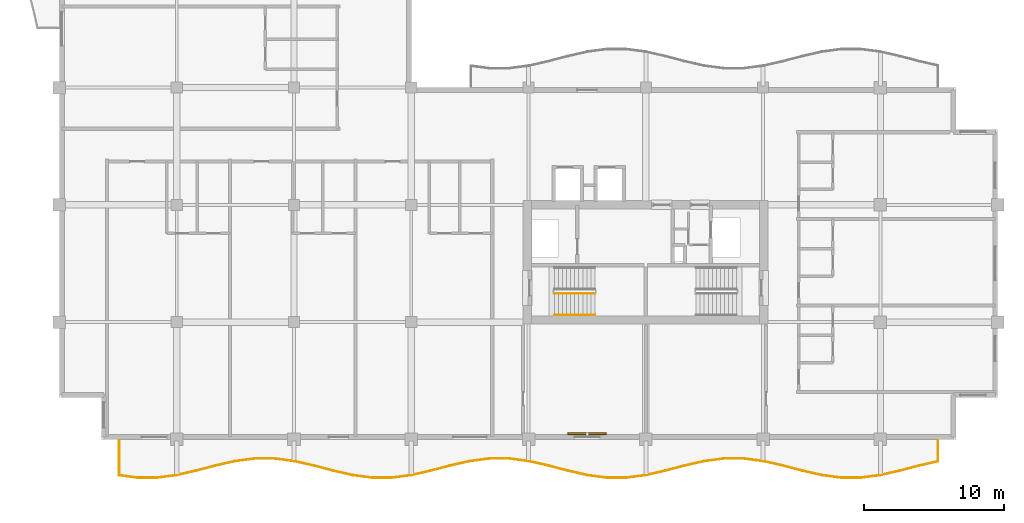
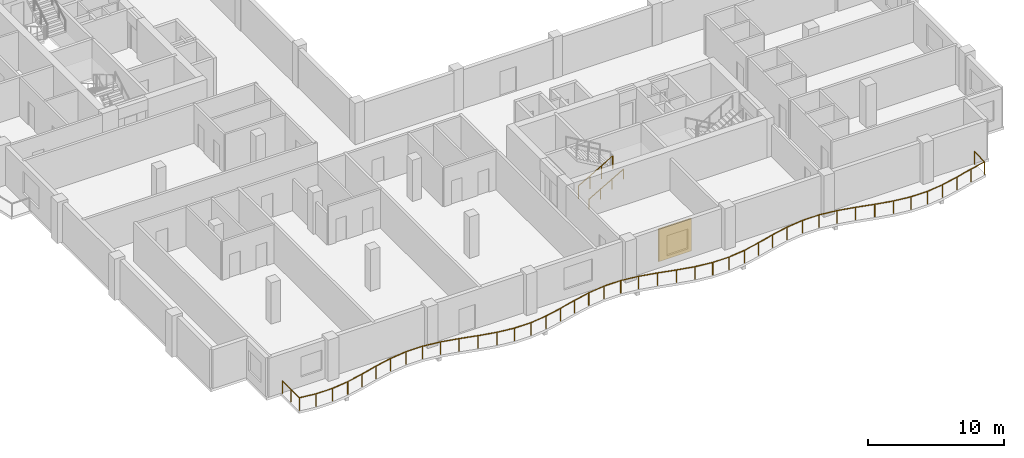
# One storey, part 10 of 12: 3 railings, 1 shading device.
"""IFC4 building model written with IfcOpenShell, lengths in metres."""

import ifcopenshell
import ifcopenshell.guid

model = None  # the IFC model being written
_history = None  # IfcOwnerHistory: only IFC2X3 demands one
_inside = {}  # id of a spatial element -> (the spatial element, [elements in it])
_under = {}  # id of a project, library or spatial element -> (it, [spatial elements below it])
_declared = {}  # id of a project -> (the project, [libraries it declares])
_typed = {}  # id of a type object -> (the type object, [elements of that type])
_made_of = {}  # id of a material, layer set ... -> (it, [elements and type objects made of it])


def new_model(schema):
    """Start an empty IFC model of exactly this schema.

    Asked for "IFC4X3", IfcOpenShell would pick the latest addendum, in which some entities
    have other attributes; the version numbers below select the first issue.
    IFC2X3 requires an IfcOwnerHistory on every rooted entity: one is made here for all.
    """
    global model, _history
    if schema == "IFC4X3":
        model = ifcopenshell.file(schema_version=(4, 3, 0, 0))
    else:
        model = ifcopenshell.file(schema=schema)
    _inside.clear()
    _under.clear()
    _declared.clear()
    _typed.clear()
    _made_of.clear()
    _history = None
    if model.schema == "IFC2X3":
        org = make("IfcOrganization", Name="unknown")
        user = make(
            "IfcPersonAndOrganization",
            ThePerson=make("IfcPerson", FamilyName="unknown"),
            TheOrganization=org,
        )
        app = make(
            "IfcApplication",
            ApplicationDeveloper=org,
            Version="unknown",
            ApplicationFullName="unknown",
            ApplicationIdentifier="unknown",
        )
        _history = make(
            "IfcOwnerHistory",
            OwningUser=user,
            OwningApplication=app,
            ChangeAction="ADDED",
            CreationDate=0,
        )
    return model


def make(cls, **values):
    """One entity of the class cls with the attributes given. An attribute that is None is left unset."""
    return model.create_entity(
        cls, **{name: value for name, value in values.items() if value is not None}
    )


def rooted(cls, **values):
    """An entity with a GlobalId (a new one), such as an element, a storey or a relation."""
    return make(cls, GlobalId=ifcopenshell.guid.new(), OwnerHistory=_history, **values)


def si_unit(unit_type, name, prefix=None):
    """IfcSIUnit, for example si_unit("LENGTHUNIT", "METRE", prefix="MILLI")."""
    return make("IfcSIUnit", UnitType=unit_type, Prefix=prefix, Name=name)


def assignment(units):
    """IfcUnitAssignment: the units of a project."""
    return None if units is None else make("IfcUnitAssignment", Units=units)


def point(xyz):
    """IfcCartesianPoint."""
    return None if xyz is None else make("IfcCartesianPoint", Coordinates=xyz)


def direction(xyz):
    """IfcDirection."""
    return None if xyz is None else make("IfcDirection", DirectionRatios=xyz)


def frame(location, z_axis=None, x_axis=None):
    """IfcAxis2Placement3D, a coordinate frame: its origin and axes. An axis left out is left unset."""
    return make(
        "IfcAxis2Placement3D",
        Location=point(location),
        Axis=direction(z_axis),
        RefDirection=direction(x_axis),
    )


def frame_2d(location, x_axis=None):
    """IfcAxis2Placement2D, a coordinate frame in the plane: its origin and x axis."""
    return make(
        "IfcAxis2Placement2D", Location=point(location), RefDirection=direction(x_axis)
    )


def origin():
    """The frame at (0, 0, 0) with its axes left unset."""
    return frame((0.0, 0.0, 0.0))


def origin_2d():
    """The frame at (0, 0) in the plane with its x axis left unset."""
    return frame_2d((0.0, 0.0))


def place(relative_to, where):
    """IfcLocalPlacement: puts the frame where relative to a parent placement (None: the world)."""
    return make(
        "IfcLocalPlacement", PlacementRelTo=relative_to, RelativePlacement=where
    )


def context(
    kind, dimensions, precision=None, world=None, true_north=None, identifier=None
):
    """IfcGeometricRepresentationContext, for example the 3D "Model" context."""
    return make(
        "IfcGeometricRepresentationContext",
        ContextIdentifier=identifier,
        ContextType=kind,
        CoordinateSpaceDimension=dimensions,
        Precision=precision,
        WorldCoordinateSystem=world,
        TrueNorth=true_north,
    )


def subcontext(parent, identifier, kind, view, scale=None):
    """IfcGeometricRepresentationSubContext, for example "Body" below "Model"."""
    return make(
        "IfcGeometricRepresentationSubContext",
        ContextIdentifier=identifier,
        ContextType=kind,
        ParentContext=parent,
        TargetScale=scale,
        TargetView=view,
    )


def project(units=None, contexts=None):
    """IfcProject with its units and contexts."""
    return rooted(
        "IfcProject",
        Name="project",
        RepresentationContexts=contexts,
        UnitsInContext=assignment(units),
    )


def spatial(cls, under=None, at=None, **own):
    """A site, building, storey or space (cls), placed at a placement, below another one or the project."""
    s = rooted(cls, ObjectPlacement=at, **own)
    if under is not None:
        _under.setdefault(under.id(), (under, []))[1].append(s)
    return s


def profile(cls, at=None, kind="AREA", **sizes):
    """A parametric profile (cls). Its sizes go by their IFC names, for example OverallWidth=200.0."""
    return make(cls, ProfileType=kind, Position=at, **sizes)


def rectangle(**sizes):
    """IfcRectangleProfileDef."""
    return profile("IfcRectangleProfileDef", **sizes)


def circle(**sizes):
    """IfcCircleProfileDef."""
    return profile("IfcCircleProfileDef", **sizes)


def extrude(swept, where, along, depth):
    """IfcExtrudedAreaSolid: the profile swept, set in the frame where, extruded along a direction by depth."""
    return make(
        "IfcExtrudedAreaSolid",
        SweptArea=swept,
        Position=where,
        ExtrudedDirection=direction(along),
        Depth=depth,
    )


def shape(context_of_items, identifier, shape_type, items):
    """IfcShapeRepresentation: the items that make up one representation, for example the "Body"."""
    return make(
        "IfcShapeRepresentation",
        ContextOfItems=context_of_items,
        RepresentationIdentifier=identifier,
        RepresentationType=shape_type,
        Items=items,
    )


def material(Name=None, Category=None):
    """IfcMaterial."""
    return make("IfcMaterial", Name=Name, Category=Category)


def layer(
    of_material, thickness, ventilated=None, Name=None, Category=None, Priority=None
):
    """IfcMaterialLayer: one layer of a wall or slab, of a material (None: an air gap)."""
    return make(
        "IfcMaterialLayer",
        Material=of_material,
        LayerThickness=thickness,
        IsVentilated=ventilated,
        Name=Name,
        Category=Category,
        Priority=Priority,
    )


def layer_set(layers, Name=None):
    """IfcMaterialLayerSet."""
    return make("IfcMaterialLayerSet", MaterialLayers=layers, LayerSetName=Name)


def made_of(thing, what):
    """Note that an element or type object is made of a material, layer set ...; save() writes the relation."""
    if what is not None:
        _made_of.setdefault(what.id(), (what, []))[1].append(thing)
    return thing


def type_object(cls, material=None, **own):
    """A type object (cls), such as IfcWallType, which elements share."""
    return made_of(rooted(cls, **own), material)


def element(
    cls,
    number,
    at=None,
    inside=None,
    cuts=None,
    type_object=None,
    material=None,
    context=None,
    identifier="Body",
    shape_type=None,
    held_by="IfcProductDefinitionShape",
    body=None,
    shapes=None,
    **own,
):
    """One element of the class cls, such as IfcWall. Its Tag is "e" and its number.

    at: its placement. inside: the storey or other place that contains it. cuts: it is an
    opening in that element (IfcRelVoidsElement). A single representation is given by context,
    identifier, shape_type and body (its items); several are given by shapes. held_by: the class
    of the entity that holds the representations. save() writes the other relations.
    """
    e = rooted(cls, Tag="e%d" % number, ObjectPlacement=at, **own)
    if body is not None:
        shapes = [shape(context, identifier, shape_type, body)]
    if shapes is not None:
        e.Representation = make(held_by, Representations=shapes)
    if inside is not None:
        _inside.setdefault(inside.id(), (inside, []))[1].append(e)
    if cuts is not None:
        rooted(
            "IfcRelVoidsElement", RelatingBuildingElement=cuts, RelatedOpeningElement=e
        )
    if type_object is not None:
        _typed.setdefault(type_object.id(), (type_object, []))[1].append(e)
    return made_of(e, material)


def aggregate(whole, parts):
    """IfcRelAggregates: a whole, such as a stair, and the parts it consists of."""
    return rooted("IfcRelAggregates", RelatingObject=whole, RelatedObjects=parts)


def save(model, path):
    """Write the relations noted so far, then the file.

    IfcRelAggregates (storeys below a building ...), IfcRelContainedInSpatialStructure (elements
    in a storey), IfcRelDefinesByType, IfcRelAssociatesMaterial and IfcRelDeclares: one each for
    every whole, place, type object, material and project.
    """
    for whole, parts in _under.values():
        aggregate(whole, parts)
    for where, things in _inside.values():
        rooted(
            "IfcRelContainedInSpatialStructure",
            RelatedElements=things,
            RelatingStructure=where,
        )
    for kind, things in _typed.values():
        rooted("IfcRelDefinesByType", RelatedObjects=things, RelatingType=kind)
    for what, things in _made_of.values():
        rooted("IfcRelAssociatesMaterial", RelatedObjects=things, RelatingMaterial=what)
    for by, libraries in _declared.values():
        rooted("IfcRelDeclares", RelatingContext=by, RelatedDefinitions=libraries)
    model.write(path)


model = new_model("IFC4")

# Units and contexts
model_context = context("Model", 3, precision=1e-05, world=origin(), true_north=direction((0.0, 1.0)))
body_context = subcontext(model_context, "Body", "Model", "MODEL_VIEW")
ifc_project = project(units=[si_unit("LENGTHUNIT", "METRE"), si_unit("AREAUNIT", "SQUARE_METRE"), si_unit("VOLUMEUNIT", "CUBIC_METRE"), si_unit("PLANEANGLEUNIT", "RADIAN"), si_unit("MASSUNIT", "GRAM", prefix="KILO")], contexts=[model_context])

# Site, building, storey
site_placement = place(None, origin())
site = spatial("IfcSite", under=ifc_project, at=site_placement, CompositionType="ELEMENT")
building_placement = place(site_placement, origin())
building = spatial("IfcBuilding", under=site, at=building_placement, Name="Koriwani Terraces Tower", CompositionType="ELEMENT")
storey_placement = place(building_placement, frame((0.0, 0.0, 241.60009765625)))
storey = spatial("IfcBuildingStorey", under=building, at=storey_placement, Name="L59", CompositionType="ELEMENT", Elevation=241.60009765625)

# Railings
ifc_material_1 = material(Name="Steel ASTM A572 Grade 50", Category="steel")
railing_type_1 = type_object("IfcRailingType", Name="GUARD_BALUSTRADE_1150", PredefinedType="BALUSTRADE", material=ifc_material_1)
railing_1_placement = place(storey_placement, frame((12.679931640625, 8.320068359375, 0.0)))
element("IfcRailing", 1, at=railing_1_placement, inside=storey, type_object=railing_type_1, Name="L59 Balcony Perimeter Safety Balustrade (S)", PredefinedType="BALUSTRADE", context=body_context, shape_type="SweptSolid", body=[
    extrude(circle(Radius=0.02392578125, at=origin_2d()), frame((0.0, 0.0, 1.1259765625), z_axis=(0.0, -1.0, 0.0), x_axis=(1.0, 0.0, 0.0)), (0.0, 0.0, 1.0), 2.491943359375),
    extrude(circle(Radius=0.02392578125, at=origin_2d()), frame((0.0, -2.491943359375, 1.1259765625), z_axis=(0.991506441664, -0.130057587779, 0.0), x_axis=(0.130057587779, 0.991506441664, 0.0)), (0.0, 0.0, 1.0), 1.33642578125),
    extrude(circle(Radius=0.02392578125, at=origin_2d()), frame((1.3251953125, -2.665771484375, 1.1259765625), z_axis=(1.0, 0.0, 0.0), x_axis=(0.0, 1.0, 0.0)), (0.0, 0.0, 1.0), 1.3896484375),
    extrude(circle(Radius=0.02392578125, at=origin_2d()), frame((2.71484375, -2.665771484375, 1.1259765625), z_axis=(0.991493340479, 0.130157426935, 0.0), x_axis=(-0.130157426935, 0.991493340479, 0.0)), (0.0, 0.0, 1.0), 1.403076171875),
    extrude(circle(Radius=0.02392578125, at=origin_2d()), frame((4.10595703125, -2.483154296875, 1.1259765625), z_axis=(0.975156320387, 0.221517834068, 0.0), x_axis=(-0.221517834068, 0.975156320387, 0.0)), (0.0, 0.0, 1.0), 1.4306640625),
    extrude(circle(Radius=0.02392578125, at=origin_2d()), frame((5.5009765625, -2.166259765625, 1.1259765625), z_axis=(0.967207664387, 0.253986877518, 0.0), x_axis=(-0.253986877518, 0.967207664387, 0.0)), (0.0, 0.0, 1.0), 1.447509765625),
    extrude(circle(Radius=0.02392578125, at=origin_2d()), frame((6.901123046875, -1.798583984375, 1.1259765625), z_axis=(0.975122866469, 0.221665052023, 0.0), x_axis=(-0.221665052023, 0.975122866469, 0.0)), (0.0, 0.0, 1.0), 1.440673828125),
    extrude(circle(Radius=0.02392578125, at=origin_2d()), frame((8.305908203125, -1.479248046875, 1.1259765625), z_axis=(0.991528403605, 0.12989004906, 0.0), x_axis=(-0.12989004906, 0.991528403605, 0.0)), (0.0, 0.0, 1.0), 1.4208984375),
    extrude(circle(Radius=0.02392578125, at=origin_2d()), frame((9.71484375, -1.294677734375, 1.1259765625), z_axis=(1.0, 0.0, 0.0), x_axis=(0.0, 1.0, 0.0)), (0.0, 0.0, 1.0), 1.410400390625),
    extrude(circle(Radius=0.02392578125, at=origin_2d()), frame((11.125244140625, -1.294677734375, 1.1259765625), z_axis=(0.991528403605, -0.12989004906, 0.0), x_axis=(0.12989004906, 0.991528403605, 0.0)), (0.0, 0.0, 1.0), 1.4208984375),
    extrude(circle(Radius=0.02392578125, at=origin_2d()), frame((12.5341796875, -1.479248046875, 1.1259765625), z_axis=(0.975122866469, -0.221665052023, 0.0), x_axis=(0.221665052023, 0.975122866469, 0.0)), (0.0, 0.0, 1.0), 1.440673828125),
    extrude(circle(Radius=0.02392578125, at=origin_2d()), frame((13.93896484375, -1.798583984375, 1.1259765625), z_axis=(0.967207664387, -0.253986877518, 0.0), x_axis=(0.253986877518, 0.967207664387, 0.0)), (0.0, 0.0, 1.0), 1.447509765625),
    extrude(circle(Radius=0.02392578125, at=origin_2d()), frame((15.339111328125, -2.166259765625, 1.1259765625), z_axis=(0.975156320387, -0.221517834068, 0.0), x_axis=(0.221517834068, 0.975156320387, 0.0)), (0.0, 0.0, 1.0), 1.4306640625),
    extrude(circle(Radius=0.02392578125, at=origin_2d()), frame((16.734130859375, -2.483154296875, 1.1259765625), z_axis=(0.991493340479, -0.130157426935, 0.0), x_axis=(0.130157426935, 0.991493340479, 0.0)), (0.0, 0.0, 1.0), 1.403076171875),
    extrude(circle(Radius=0.02392578125, at=origin_2d()), frame((18.125244140625, -2.665771484375, 1.1259765625), z_axis=(1.0, 0.0, 0.0), x_axis=(0.0, 1.0, 0.0)), (0.0, 0.0, 1.0), 1.3896484375),
    extrude(circle(Radius=0.02392578125, at=origin_2d()), frame((19.514892578125, -2.665771484375, 1.1259765625), z_axis=(0.991493340479, 0.130157426935, 0.0), x_axis=(-0.130157426935, 0.991493340479, 0.0)), (0.0, 0.0, 1.0), 1.403076171875),
    extrude(circle(Radius=0.02392578125, at=origin_2d()), frame((20.906005859375, -2.483154296875, 1.1259765625), z_axis=(0.975156320387, 0.221517834068, 0.0), x_axis=(-0.221517834068, 0.975156320387, 0.0)), (0.0, 0.0, 1.0), 1.4306640625),
    extrude(circle(Radius=0.02392578125, at=origin_2d()), frame((22.301025390625, -2.166259765625, 1.1259765625), z_axis=(0.967207664387, 0.253986877518, 0.0), x_axis=(-0.253986877518, 0.967207664387, 0.0)), (0.0, 0.0, 1.0), 1.447509765625),
    extrude(circle(Radius=0.02392578125, at=origin_2d()), frame((23.701171875, -1.798583984375, 1.1259765625), z_axis=(0.975122866469, 0.221665052023, 0.0), x_axis=(-0.221665052023, 0.975122866469, 0.0)), (0.0, 0.0, 1.0), 1.440673828125),
    extrude(circle(Radius=0.02392578125, at=origin_2d()), frame((25.10595703125, -1.479248046875, 1.1259765625), z_axis=(0.991528403605, 0.12989004906, 0.0), x_axis=(-0.12989004906, 0.991528403605, 0.0)), (0.0, 0.0, 1.0), 1.4208984375),
    extrude(circle(Radius=0.02392578125, at=origin_2d()), frame((26.514892578125, -1.294677734375, 1.1259765625), z_axis=(1.0, 0.0, 0.0), x_axis=(0.0, 1.0, 0.0)), (0.0, 0.0, 1.0), 1.410400390625),
    extrude(circle(Radius=0.02392578125, at=origin_2d()), frame((27.92529296875, -1.294677734375, 1.1259765625), z_axis=(0.991528403605, -0.12989004906, 0.0), x_axis=(0.12989004906, 0.991528403605, 0.0)), (0.0, 0.0, 1.0), 1.4208984375),
    extrude(circle(Radius=0.02392578125, at=origin_2d()), frame((29.334228515625, -1.479248046875, 1.1259765625), z_axis=(0.975122866469, -0.221665052023, 0.0), x_axis=(0.221665052023, 0.975122866469, 0.0)), (0.0, 0.0, 1.0), 1.440673828125),
    extrude(circle(Radius=0.02392578125, at=origin_2d()), frame((30.739013671875, -1.798583984375, 1.1259765625), z_axis=(0.967207664387, -0.253986877518, 0.0), x_axis=(0.253986877518, 0.967207664387, 0.0)), (0.0, 0.0, 1.0), 1.447509765625),
    extrude(circle(Radius=0.02392578125, at=origin_2d()), frame((32.13916015625, -2.166259765625, 1.1259765625), z_axis=(0.975156320387, -0.221517834068, 0.0), x_axis=(0.221517834068, 0.975156320387, 0.0)), (0.0, 0.0, 1.0), 1.4306640625),
    extrude(circle(Radius=0.02392578125, at=origin_2d()), frame((33.5341796875, -2.483154296875, 1.1259765625), z_axis=(0.991493340479, -0.130157426935, 0.0), x_axis=(0.130157426935, 0.991493340479, 0.0)), (0.0, 0.0, 1.0), 1.403076171875),
    extrude(circle(Radius=0.02392578125, at=origin_2d()), frame((34.92529296875, -2.665771484375, 1.1259765625), z_axis=(1.0, 0.0, 0.0), x_axis=(0.0, 1.0, 0.0)), (0.0, 0.0, 1.0), 1.3896484375),
    extrude(circle(Radius=0.02392578125, at=origin_2d()), frame((36.31494140625, -2.665771484375, 1.1259765625), z_axis=(0.991493340479, 0.130157426935, 0.0), x_axis=(-0.130157426935, 0.991493340479, 0.0)), (0.0, 0.0, 1.0), 1.403076171875),
    extrude(circle(Radius=0.02392578125, at=origin_2d()), frame((37.7060546875, -2.483154296875, 1.1259765625), z_axis=(0.975156320387, 0.221517834068, 0.0), x_axis=(-0.221517834068, 0.975156320387, 0.0)), (0.0, 0.0, 1.0), 1.4306640625),
    extrude(circle(Radius=0.02392578125, at=origin_2d()), frame((39.10107421875, -2.166259765625, 1.1259765625), z_axis=(0.967196782226, 0.254028314271, 0.0), x_axis=(-0.254028314271, 0.967196782226, 0.0)), (0.0, 0.0, 1.0), 1.447265625),
    extrude(circle(Radius=0.02392578125, at=origin_2d()), frame((40.5009765625, -1.798583984375, 1.1259765625), z_axis=(0.975131191317, 0.221628427149, 0.0), x_axis=(-0.221628427149, 0.975131191317, 0.0)), (0.0, 0.0, 1.0), 1.44091796875),
    extrude(circle(Radius=0.02392578125, at=origin_2d()), frame((41.906005859375, -1.479248046875, 1.1259765625), z_axis=(0.991528403605, 0.12989004906, 0.0), x_axis=(-0.12989004906, 0.991528403605, 0.0)), (0.0, 0.0, 1.0), 1.4208984375),
    extrude(circle(Radius=0.02392578125, at=origin_2d()), frame((43.31494140625, -1.294677734375, 1.1259765625), z_axis=(1.0, 0.0, 0.0), x_axis=(0.0, 1.0, 0.0)), (0.0, 0.0, 1.0), 1.410400390625),
    extrude(circle(Radius=0.02392578125, at=origin_2d()), frame((44.725341796875, -1.294677734375, 1.1259765625), z_axis=(0.991528403605, -0.12989004906, 0.0), x_axis=(0.12989004906, 0.991528403605, 0.0)), (0.0, 0.0, 1.0), 1.4208984375),
    extrude(circle(Radius=0.02392578125, at=origin_2d()), frame((46.13427734375, -1.479248046875, 1.1259765625), z_axis=(0.975122866469, -0.221665052023, 0.0), x_axis=(0.221665052023, 0.975122866469, 0.0)), (0.0, 0.0, 1.0), 1.440673828125),
    extrude(circle(Radius=0.02392578125, at=origin_2d()), frame((47.5390625, -1.798583984375, 1.1259765625), z_axis=(0.967196782226, -0.254028314271, 0.0), x_axis=(0.254028314271, 0.967196782226, 0.0)), (0.0, 0.0, 1.0), 1.447265625),
    extrude(circle(Radius=0.02392578125, at=origin_2d()), frame((48.93896484375, -2.166259765625, 1.1259765625), z_axis=(0.975164692652, -0.221480974814, 0.0), x_axis=(0.221480974814, 0.975164692652, 0.0)), (0.0, 0.0, 1.0), 1.430908203125),
    extrude(circle(Radius=0.02392578125, at=origin_2d()), frame((50.334228515625, -2.483154296875, 1.1259765625), z_axis=(0.991493340479, -0.130157426935, 0.0), x_axis=(0.130157426935, 0.991493340479, 0.0)), (0.0, 0.0, 1.0), 1.403076171875),
    extrude(circle(Radius=0.02392578125, at=origin_2d()), frame((51.725341796875, -2.665771484375, 1.1259765625), z_axis=(1.0, 0.0, 0.0), x_axis=(0.0, 1.0, 0.0)), (0.0, 0.0, 1.0), 1.3896484375),
    extrude(circle(Radius=0.02392578125, at=origin_2d()), frame((53.114990234375, -2.665771484375, 1.1259765625), z_axis=(0.991490391866, 0.130179886452, 0.0), x_axis=(-0.130179886452, 0.991490391866, 0.0)), (0.0, 0.0, 1.0), 1.40283203125),
    extrude(circle(Radius=0.02392578125, at=origin_2d()), frame((54.505859375, -2.483154296875, 1.1259765625), z_axis=(0.975164692652, 0.221480974814, 0.0), x_axis=(-0.221480974814, 0.975164692652, 0.0)), (0.0, 0.0, 1.0), 1.430908203125),
    extrude(circle(Radius=0.02392578125, at=origin_2d()), frame((55.901123046875, -2.166259765625, 1.1259765625), z_axis=(0.967196782226, 0.254028314271, 0.0), x_axis=(-0.254028314271, 0.967196782226, 0.0)), (0.0, 0.0, 1.0), 1.447265625),
    extrude(circle(Radius=0.02392578125, at=origin_2d()), frame((57.301025390625, -1.798583984375, 1.1259765625), z_axis=(0.97511713615, 0.221690258665, 0.0), x_axis=(-0.221690258665, 0.97511713615, 0.0)), (0.0, 0.0, 1.0), 1.373291015625),
    extrude(circle(Radius=0.02392578125, at=origin_2d()), frame((58.64013671875, -1.494140625, 1.1259765625), z_axis=(0.0, 1.0, 0.0), x_axis=(-1.0, 0.0, 0.0)), (0.0, 0.0, 1.0), 1.494140625),
    extrude(circle(Radius=0.02099609375, at=origin_2d()), origin(), (0.0, 0.0, 1.0), 1.101806640625),
    extrude(circle(Radius=0.02099609375, at=origin_2d()), frame((0.0, -1.24609375, 0.0)), (0.0, 0.0, 1.0), 1.101806640625),
    extrude(circle(Radius=0.02099609375, at=origin_2d()), frame((0.0, -2.491943359375, 0.0)), (0.0, 0.0, 1.0), 1.101806640625),
    extrude(circle(Radius=0.02099609375, at=origin_2d()), frame((1.3251953125, -2.665771484375, 0.0)), (0.0, 0.0, 1.0), 1.101806640625),
    extrude(circle(Radius=0.02099609375, at=origin_2d()), frame((2.71484375, -2.665771484375, 0.0)), (0.0, 0.0, 1.0), 1.101806640625),
    extrude(circle(Radius=0.02099609375, at=origin_2d()), frame((4.10595703125, -2.483154296875, 0.0)), (0.0, 0.0, 1.0), 1.101806640625),
    extrude(circle(Radius=0.02099609375, at=origin_2d()), frame((5.5009765625, -2.166259765625, 0.0)), (0.0, 0.0, 1.0), 1.101806640625),
    extrude(circle(Radius=0.02099609375, at=origin_2d()), frame((6.901123046875, -1.798583984375, 0.0)), (0.0, 0.0, 1.0), 1.101806640625),
    extrude(circle(Radius=0.02099609375, at=origin_2d()), frame((8.305908203125, -1.479248046875, 0.0)), (0.0, 0.0, 1.0), 1.101806640625),
    extrude(circle(Radius=0.02099609375, at=origin_2d()), frame((9.71484375, -1.294677734375, 0.0)), (0.0, 0.0, 1.0), 1.101806640625),
    extrude(circle(Radius=0.02099609375, at=origin_2d()), frame((11.125244140625, -1.294677734375, 0.0)), (0.0, 0.0, 1.0), 1.101806640625),
    extrude(circle(Radius=0.02099609375, at=origin_2d()), frame((12.5341796875, -1.479248046875, 0.0)), (0.0, 0.0, 1.0), 1.101806640625),
    extrude(circle(Radius=0.02099609375, at=origin_2d()), frame((13.93896484375, -1.798583984375, 0.0)), (0.0, 0.0, 1.0), 1.101806640625),
    extrude(circle(Radius=0.02099609375, at=origin_2d()), frame((15.339111328125, -2.166259765625, 0.0)), (0.0, 0.0, 1.0), 1.101806640625),
    extrude(circle(Radius=0.02099609375, at=origin_2d()), frame((16.734130859375, -2.483154296875, 0.0)), (0.0, 0.0, 1.0), 1.101806640625),
    extrude(circle(Radius=0.02099609375, at=origin_2d()), frame((18.125244140625, -2.665771484375, 0.0)), (0.0, 0.0, 1.0), 1.101806640625),
    extrude(circle(Radius=0.02099609375, at=origin_2d()), frame((19.514892578125, -2.665771484375, 0.0)), (0.0, 0.0, 1.0), 1.101806640625),
    extrude(circle(Radius=0.02099609375, at=origin_2d()), frame((20.906005859375, -2.483154296875, 0.0)), (0.0, 0.0, 1.0), 1.101806640625),
    extrude(circle(Radius=0.02099609375, at=origin_2d()), frame((22.301025390625, -2.166259765625, 0.0)), (0.0, 0.0, 1.0), 1.101806640625),
    extrude(circle(Radius=0.02099609375, at=origin_2d()), frame((23.701171875, -1.798583984375, 0.0)), (0.0, 0.0, 1.0), 1.101806640625),
    extrude(circle(Radius=0.02099609375, at=origin_2d()), frame((25.10595703125, -1.479248046875, 0.0)), (0.0, 0.0, 1.0), 1.101806640625),
    extrude(circle(Radius=0.02099609375, at=origin_2d()), frame((26.514892578125, -1.294677734375, 0.0)), (0.0, 0.0, 1.0), 1.101806640625),
    extrude(circle(Radius=0.02099609375, at=origin_2d()), frame((27.92529296875, -1.294677734375, 0.0)), (0.0, 0.0, 1.0), 1.101806640625),
    extrude(circle(Radius=0.02099609375, at=origin_2d()), frame((29.334228515625, -1.479248046875, 0.0)), (0.0, 0.0, 1.0), 1.101806640625),
    extrude(circle(Radius=0.02099609375, at=origin_2d()), frame((30.739013671875, -1.798583984375, 0.0)), (0.0, 0.0, 1.0), 1.101806640625),
    extrude(circle(Radius=0.02099609375, at=origin_2d()), frame((32.13916015625, -2.166259765625, 0.0)), (0.0, 0.0, 1.0), 1.101806640625),
    extrude(circle(Radius=0.02099609375, at=origin_2d()), frame((33.5341796875, -2.483154296875, 0.0)), (0.0, 0.0, 1.0), 1.101806640625),
    extrude(circle(Radius=0.02099609375, at=origin_2d()), frame((34.92529296875, -2.665771484375, 0.0)), (0.0, 0.0, 1.0), 1.101806640625),
    extrude(circle(Radius=0.02099609375, at=origin_2d()), frame((36.31494140625, -2.665771484375, 0.0)), (0.0, 0.0, 1.0), 1.101806640625),
    extrude(circle(Radius=0.02099609375, at=origin_2d()), frame((37.7060546875, -2.483154296875, 0.0)), (0.0, 0.0, 1.0), 1.101806640625),
    extrude(circle(Radius=0.02099609375, at=origin_2d()), frame((39.10107421875, -2.166259765625, 0.0)), (0.0, 0.0, 1.0), 1.101806640625),
    extrude(circle(Radius=0.02099609375, at=origin_2d()), frame((40.5009765625, -1.798583984375, 0.0)), (0.0, 0.0, 1.0), 1.101806640625),
    extrude(circle(Radius=0.02099609375, at=origin_2d()), frame((41.906005859375, -1.479248046875, 0.0)), (0.0, 0.0, 1.0), 1.101806640625),
    extrude(circle(Radius=0.02099609375, at=origin_2d()), frame((43.31494140625, -1.294677734375, 0.0)), (0.0, 0.0, 1.0), 1.101806640625),
    extrude(circle(Radius=0.02099609375, at=origin_2d()), frame((44.725341796875, -1.294677734375, 0.0)), (0.0, 0.0, 1.0), 1.101806640625),
    extrude(circle(Radius=0.02099609375, at=origin_2d()), frame((46.13427734375, -1.479248046875, 0.0)), (0.0, 0.0, 1.0), 1.101806640625),
    extrude(circle(Radius=0.02099609375, at=origin_2d()), frame((47.5390625, -1.798583984375, 0.0)), (0.0, 0.0, 1.0), 1.101806640625),
    extrude(circle(Radius=0.02099609375, at=origin_2d()), frame((48.93896484375, -2.166259765625, 0.0)), (0.0, 0.0, 1.0), 1.101806640625),
    extrude(circle(Radius=0.02099609375, at=origin_2d()), frame((50.334228515625, -2.483154296875, 0.0)), (0.0, 0.0, 1.0), 1.101806640625),
    extrude(circle(Radius=0.02099609375, at=origin_2d()), frame((51.725341796875, -2.665771484375, 0.0)), (0.0, 0.0, 1.0), 1.101806640625),
    extrude(circle(Radius=0.02099609375, at=origin_2d()), frame((53.114990234375, -2.665771484375, 0.0)), (0.0, 0.0, 1.0), 1.101806640625),
    extrude(circle(Radius=0.02099609375, at=origin_2d()), frame((54.505859375, -2.483154296875, 0.0)), (0.0, 0.0, 1.0), 1.101806640625),
    extrude(circle(Radius=0.02099609375, at=origin_2d()), frame((55.901123046875, -2.166259765625, 0.0)), (0.0, 0.0, 1.0), 1.101806640625),
    extrude(circle(Radius=0.02099609375, at=origin_2d()), frame((57.301025390625, -1.798583984375, 0.0)), (0.0, 0.0, 1.0), 1.101806640625),
    extrude(circle(Radius=0.02099609375, at=origin_2d()), frame((58.64013671875, -1.494140625, 0.0)), (0.0, 0.0, 1.0), 1.101806640625),
    extrude(circle(Radius=0.02099609375, at=origin_2d()), frame((58.64013671875, 0.0, 0.0)), (0.0, 0.0, 1.0), 1.101806640625),
])
railing_type_2 = type_object("IfcRailingType", Name="GUARD_STAIR_WELL_1120", PredefinedType="GUARDRAIL", material=ifc_material_1)
railing_2_placement = place(storey_placement, frame((43.85009765625, 18.85009765625, 0.16796875)))
element("IfcRailing", 2, at=railing_2_placement, inside=storey, type_object=railing_type_2, Name="L59 ST-E1 stair guard 1", PredefinedType="GUARDRAIL", context=body_context, shape_type="SweptSolid", body=[
    extrude(circle(Radius=0.02392578125, at=origin_2d()), frame((0.0, 0.0, 1.1259765625), z_axis=(0.865038774852, 0.0, 0.501705010941), x_axis=(0.0, 1.0, 0.0)), (0.0, 0.0, 1.0), 3.352294921875),
    extrude(circle(Radius=0.02099609375, at=origin_2d()), origin(), (0.0, 0.0, 1.0), 1.101806640625),
    extrude(circle(Radius=0.02099609375, at=origin_2d()), frame((0.966552734375, 0.0, 0.560546875)), (0.0, 0.0, 1.0), 1.101806640625),
    extrude(circle(Radius=0.02099609375, at=origin_2d()), frame((1.933349609375, 0.0, 1.121337890625)), (0.0, 0.0, 1.0), 1.101806640625),
    extrude(circle(Radius=0.02099609375, at=origin_2d()), frame((2.89990234375, 0.0, 1.681884765625)), (0.0, 0.0, 1.0), 1.101806640625),
])
railing_type_3 = type_object("IfcRailingType", Name="HANDRAIL_STAIR_920", PredefinedType="HANDRAIL", material=ifc_material_1)
railing_3_placement = place(storey_placement, frame((43.85009765625, 17.300048828125, 0.16796875)))
element("IfcRailing", 3, at=railing_3_placement, inside=storey, type_object=railing_type_3, Name="L59 ST-E1 stair handrail 1", PredefinedType="HANDRAIL", context=body_context, shape_type="SweptSolid", body=[
    extrude(circle(Radius=0.02392578125, at=origin_2d()), frame((0.0, 0.0, 0.8759765625), z_axis=(0.865038774852, 0.0, 0.501705010941), x_axis=(0.0, 1.0, 0.0)), (0.0, 0.0, 1.0), 3.352294921875),
    extrude(circle(Radius=0.02099609375, at=origin_2d()), origin(), (0.0, 0.0, 1.0), 0.851806640625),
    extrude(circle(Radius=0.02099609375, at=origin_2d()), frame((0.966552734375, 0.0, 0.560546875)), (0.0, 0.0, 1.0), 0.851806640625),
    extrude(circle(Radius=0.02099609375, at=origin_2d()), frame((1.933349609375, 0.0, 1.121337890625)), (0.0, 0.0, 1.0), 0.851806640625),
    extrude(circle(Radius=0.02099609375, at=origin_2d()), frame((2.89990234375, 0.0, 1.681884765625)), (0.0, 0.0, 1.0), 0.851806640625),
])

# Shading device
ifc_material_2 = material(Name="Extruded Terracotta Clay", Category="masonry")
ifc_layer = layer(ifc_material_2, 0.1201171875, Name="Extruded Terracotta Clay")
ifc_layer_set = layer_set([ifc_layer], Name="Extruded Terracotta Clay")
shading_device_type = type_object("IfcShadingDeviceType", Name="TERRACOTTA_BAGUETTE_SCREEN_2800", PredefinedType="USERDEFINED", material=ifc_layer_set)
shading_device_placement = place(storey_placement, frame((46.199951171875, 8.804931640625, 0.284912109375), z_axis=(0.0, 0.0, 1.0), x_axis=(-1.0, 0.0, 0.0)))
element("IfcShadingDevice", 4, at=shading_device_placement, inside=storey, type_object=shading_device_type, Name="L59 Extruded Terracotta Baguette Screen (S-12)", ObjectType="BAGUETTE", PredefinedType="USERDEFINED", context=body_context, shape_type="SweptSolid", body=[
    extrude(rectangle(XDim=2.760009765625, YDim=0.1201171875, at=origin_2d()), origin(), (0.0, 0.0, 1.0), 2.89990234375),
])

save(model, "model.ifc")
